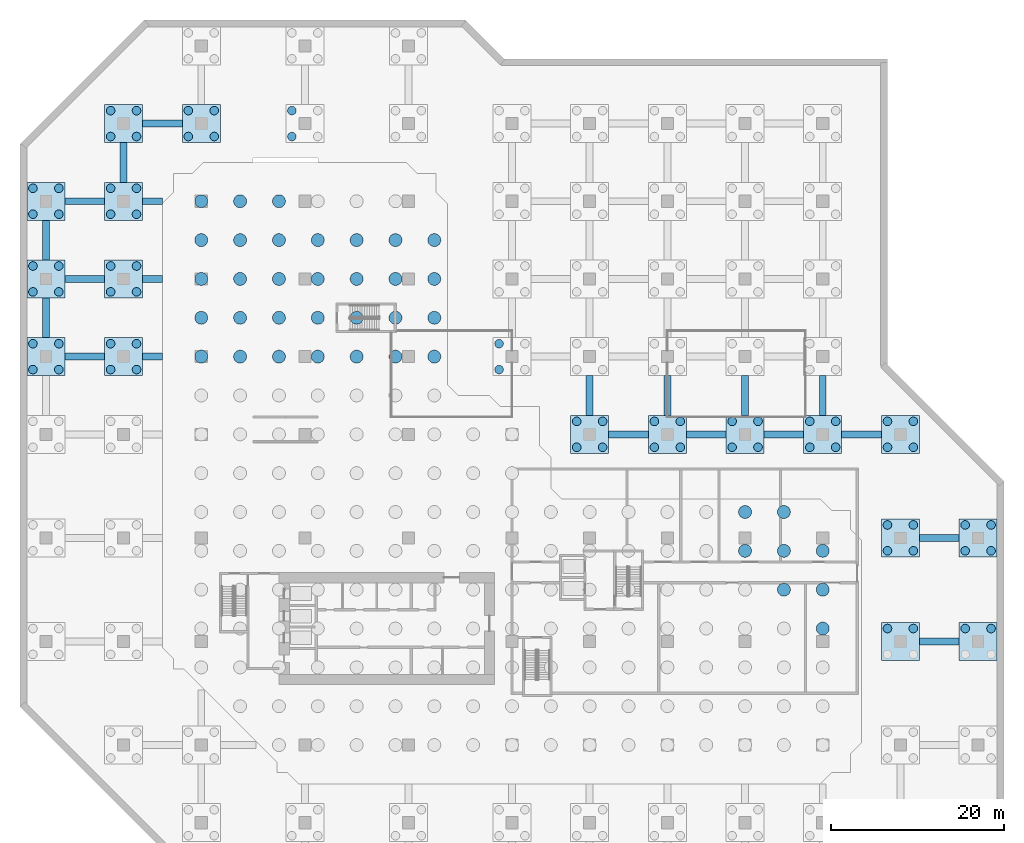
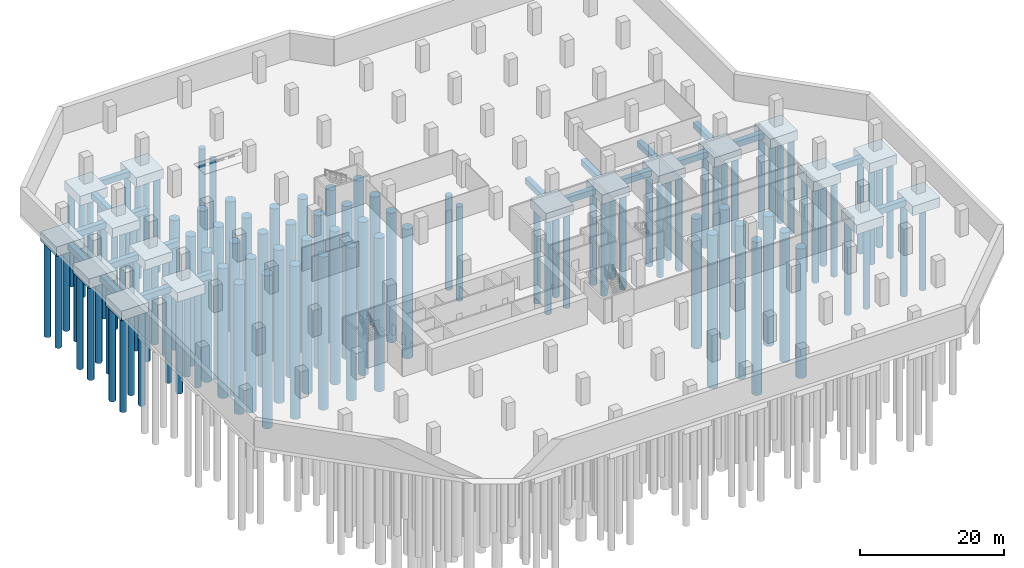
# One storey, part 3 of 13: 107 piles, 37 footings.
"""IFC4 building model written with IfcOpenShell, lengths in metres."""

from ifc_helpers import new_model, si_unit, direction, frame, origin, origin_2d, place, context, subcontext, project, spatial, polyline, circle, outline, extrude, material, layer, layer_set, material_profile, profile_set, type_object, element, save


model = new_model("IFC4")

# Units and contexts
model_context = context("Model", 3, precision=1e-05, world=origin(), true_north=direction((0.0, 1.0)))
body_context = subcontext(model_context, "Body", "Model", "MODEL_VIEW")
ifc_project = project(units=[si_unit("LENGTHUNIT", "METRE"), si_unit("AREAUNIT", "SQUARE_METRE"), si_unit("VOLUMEUNIT", "CUBIC_METRE"), si_unit("PLANEANGLEUNIT", "RADIAN"), si_unit("MASSUNIT", "GRAM", prefix="KILO")], contexts=[model_context])

# Site, building, storey
site_placement = place(None, origin())
site = spatial("IfcSite", under=ifc_project, at=site_placement, CompositionType="ELEMENT")
building_placement = place(site_placement, origin())
building = spatial("IfcBuilding", under=site, at=building_placement, Name="Chenar Terraces", CompositionType="ELEMENT")
storey_placement = place(building_placement, frame((0.0, 0.0, -13.5)))
storey = spatial("IfcBuildingStorey", under=building, at=storey_placement, Name="B3", CompositionType="ELEMENT", Elevation=-13.5)

# Piles
ifc_material_1 = material(Name="Concrete C40/50 sulfate-resisting", Category="concrete")
ifc_material_profile_1 = material_profile(ifc_material_1, circle(Radius=0.5, at=origin_2d()), Name="BP 1000")
ifc_profile_set_1 = profile_set([ifc_material_profile_1], Name="Concrete C40/50 sulfate-resisting")
pile_type_1 = type_object("IfcPileType", Name="Bored pile 1000", PredefinedType="BORED", material=ifc_profile_set_1)
for number, where, z_axis, x_axis, name in (
    (1, (-19.5, 43.5, -2.10009765625), (0.0, 0.0, -1.0), (1.0, 0.0, 0.0), "Pile 3/J 1"),
    (2, (-16.5, 43.5, -2.10009765625), (0.0, 0.0, -1.0), (1.0, 0.0, 0.0), "Pile 3/J 2"),
    (3, (-19.5, 46.5, -2.10009765625), (0.0, 0.0, -1.0), (1.0, 0.0, 0.0), "Pile 3/J 3"),
    (4, (-16.5, 46.5, -2.10009765625), (0.0, 0.0, -1.0), (1.0, 0.0, 0.0), "Pile 3/J 4"),
    (5, (-19.5, 52.5, -2.10009765625), (0.0, 0.0, -1.0), (1.0, 0.0, 0.0), "Pile 3/K 1"),
    (6, (-16.5, 52.5, -2.10009765625), (0.0, 0.0, -1.0), (1.0, 0.0, 0.0), "Pile 3/K 2"),
    (7, (-19.5, 55.5, -2.10009765625), (0.0, 0.0, -1.0), (1.0, 0.0, 0.0), "Pile 3/K 3"),
    (8, (-16.5, 55.5, -2.10009765625), (0.0, 0.0, -1.0), (1.0, 0.0, 0.0), "Pile 3/K 4"),
    (9, (-19.5, 61.5, -2.10009765625), (0.0, 0.0, -1.0), (1.0, 0.0, 0.0), "Pile 3/L 1"),
    (10, (-16.5, 61.5, -2.10009765625), (0.0, 0.0, -1.0), (1.0, 0.0, 0.0), "Pile 3/L 2"),
    (11, (-19.5, 64.5, -2.10009765625), (0.0, 0.0, -1.0), (1.0, 0.0, 0.0), "Pile 3/L 3"),
    (12, (-16.5, 64.5, -2.10009765625), (0.0, 0.0, -1.0), (1.0, 0.0, 0.0), "Pile 3/L 4"),
    (13, (-10.5, 43.5, -2.10009765625), (0.0, 0.0, -1.0), (1.0, 0.0, 0.0), "Pile 4/J 1"),
    (14, (-7.5, 43.5, -2.10009765625), (0.0, 0.0, -1.0), (1.0, 0.0, 0.0), "Pile 4/J 2"),
    (15, (-10.5, 46.5, -2.10009765625), (0.0, 0.0, -1.0), (1.0, 0.0, 0.0), "Pile 4/J 3"),
    (16, (-7.5, 46.5, -2.10009765625), (0.0, 0.0, -1.0), (1.0, 0.0, 0.0), "Pile 4/J 4"),
    (17, (-10.5, 52.5, -2.10009765625), (0.0, 0.0, -1.0), (1.0, 0.0, 0.0), "Pile 4/K 1"),
    (18, (-7.5, 52.5, -2.10009765625), (0.0, 0.0, -1.0), (1.0, 0.0, 0.0), "Pile 4/K 2"),
    (19, (-10.5, 55.5, -2.10009765625), (0.0, 0.0, -1.0), (1.0, 0.0, 0.0), "Pile 4/K 3"),
    (20, (-7.5, 55.5, -2.10009765625), (0.0, 0.0, -1.0), (1.0, 0.0, 0.0), "Pile 4/K 4"),
    (21, (-10.5, 61.5, -2.10009765625), (0.0, 0.0, -1.0), (1.0, 0.0, 0.0), "Pile 4/L 1"),
    (22, (-7.5, 61.5, -2.10009765625), (0.0, 0.0, -1.0), (1.0, 0.0, 0.0), "Pile 4/L 2"),
    (23, (-10.5, 64.5, -2.10009765625), (0.0, 0.0, -1.0), (1.0, 0.0, 0.0), "Pile 4/L 3"),
    (24, (-7.5, 64.5, -2.10009765625), (0.0, 0.0, -1.0), (1.0, 0.0, 0.0), "Pile 4/L 4"),
    (25, (-10.5, 70.5, -2.10009765625), (0.0, 0.0, -1.0), (1.0, 0.0, 0.0), "Pile 4/M 1"),
    (26, (-7.5, 70.5, -2.10009765625), (0.0, 0.0, -1.0), (1.0, 0.0, 0.0), "Pile 4/M 2"),
    (27, (-10.5, 73.5, -2.10009765625), (0.0, 0.0, -1.0), (1.0, 0.0, 0.0), "Pile 4/M 3"),
    (28, (-7.5, 73.5, -2.10009765625), (0.0, 0.0, -1.0), (1.0, 0.0, 0.0), "Pile 4/M 4"),
    (29, (-1.5, 70.5, -2.10009765625), (0.0, 0.0, -1.0), (1.0, 0.0, 0.0), "Pile 5/M 1"),
    (30, (1.5, 70.5, -2.10009765625), (0.0, 0.0, -1.0), (1.0, 0.0, 0.0), "Pile 5/M 2"),
    (31, (-1.5, 73.5, -2.10009765625), (0.0, 0.0, -1.0), (1.0, 0.0, 0.0), "Pile 5/M 3"),
    (32, (1.5, 73.5, -2.10009765625), (0.0, 0.0, -1.0), (1.0, 0.0, 0.0), "Pile 5/M 4"),
    (33, (10.5, 70.5, -2.10009765625), (0.0, 0.0, -1.0), (1.0, 0.0, 0.0), "Pile 6/M 1"),
    (34, (10.5, 73.5, -2.10009765625), (0.0, 0.0, -1.0), (1.0, 0.0, 0.0), "Pile 6/M 3"),
    (35, (34.5, 43.5, -2.10009765625), (0.0, 0.0, -1.0), (1.0, 0.0, 0.0), "Pile 8/J 1"),
    (36, (34.5, 46.5, -2.10009765625), (0.0, 0.0, -1.0), (1.0, 0.0, 0.0), "Pile 8/J 3"),
    (37, (43.5, 34.5, -2.10009765625), (0.0, 0.0, -1.0), (1.0, 0.0, 0.0), "Pile 9/H 1"),
    (38, (46.5, 34.5, -2.10009765625), (0.0, 0.0, -1.0), (1.0, 0.0, 0.0), "Pile 9/H 2"),
    (39, (43.5, 37.5, -2.10009765625), (0.0, 0.0, -1.0), (1.0, 0.0, 0.0), "Pile 9/H 3"),
    (40, (46.5, 37.5, -2.10009765625), (0.0, 0.0, -1.0), (1.0, 0.0, 0.0), "Pile 9/H 4"),
    (41, (52.5, 34.5, -2.10009765625), (0.0, 0.0, -1.0), (1.0, 0.0, 0.0), "Pile 10/H 1"),
    (42, (55.5, 34.5, -2.10009765625), (0.0, 0.0, -1.0), (1.0, 0.0, 0.0), "Pile 10/H 2"),
    (43, (52.5, 37.5, -2.10009765625), (0.0, 0.0, -1.0), (1.0, 0.0, 0.0), "Pile 10/H 3"),
    (44, (55.5, 37.5, -2.10009765625), (0.0, 0.0, -1.0), (1.0, 0.0, 0.0), "Pile 10/H 4"),
    (45, (61.5, 34.5, -2.10009765625), (0.0, 0.0, -1.0), (1.0, 0.0, 0.0), "Pile 11/H 1"),
    (46, (64.5, 34.5, -2.10009765625), (0.0, 0.0, -1.0), (1.0, 0.0, 0.0), "Pile 11/H 2"),
    (47, (61.5, 37.5, -2.10009765625), (0.0, 0.0, -1.0), (1.0, 0.0, 0.0), "Pile 11/H 3"),
    (48, (64.5, 37.5, -2.10009765625), (0.0, 0.0, -1.0), (1.0, 0.0, 0.0), "Pile 11/H 4"),
    (49, (70.5, 34.5, -2.10009765625), (0.0, 0.0, -1.0), (1.0, 0.0, 0.0), "Pile 12/H 1"),
    (50, (73.5, 34.5, -2.10009765625), (0.0, 0.0, -1.0), (1.0, 0.0, 0.0), "Pile 12/H 2"),
    (51, (70.5, 37.5, -2.10009765625), (0.0, 0.0, -1.0), (1.0, 0.0, 0.0), "Pile 12/H 3"),
    (52, (73.5, 37.5, -2.10009765625), (0.0, 0.0, -1.0), (1.0, 0.0, 0.0), "Pile 12/H 4"),
    (53, (79.5, 13.5, -2.10009765625), (0.0, 0.0, -1.0), (1.0, 0.0, 0.0), "Pile 13/F 3"),
    (54, (82.5, 13.5, -2.10009765625), (0.0, 0.0, -1.0), (1.0, 0.0, 0.0), "Pile 13/F 4"),
    (55, (79.5, 22.5, -2.10009765625), (0.0, 0.0, -1.0), (1.0, 0.0, 0.0), "Pile 13/G 1"),
    (56, (82.5, 22.5, -2.10009765625), (0.0, 0.0, -1.0), (1.0, 0.0, 0.0), "Pile 13/G 2"),
    (57, (79.5, 25.5, -2.10009765625), (0.0, 0.0, -1.0), (1.0, 0.0, 0.0), "Pile 13/G 3"),
    (58, (82.5, 25.5, -2.10009765625), (0.0, 0.0, -1.0), (1.0, 0.0, 0.0), "Pile 13/G 4"),
    (59, (79.5, 34.5, -2.10009765625), (0.0, 0.0, -1.0), (1.0, 0.0, 0.0), "Pile 13/H 1"),
    (60, (82.5, 34.5, -2.10009765625), (0.0, 0.0, -1.0), (1.0, 0.0, 0.0), "Pile 13/H 2"),
    (61, (79.5, 37.5, -2.10009765625), (0.0, 0.0, -1.0), (1.0, 0.0, 0.0), "Pile 13/H 3"),
    (62, (82.5, 37.5, -2.10009765625), (0.0, 0.0, -1.0), (1.0, 0.0, 0.0), "Pile 13/H 4"),
    (63, (88.5, 13.5, -2.10009765625), (0.0, 0.0, -1.0), (1.0, 0.0, 0.0), "Pile 14/F 3"),
    (64, (91.5, 13.5, -2.10009765625), (0.0, 0.0, -1.0), (1.0, 0.0, 0.0), "Pile 14/F 4"),
    (65, (88.5, 22.5, -2.10009765625), (0.0, 0.0, -1.0), (1.0, 0.0, 0.0), "Pile 14/G 1"),
    (66, (91.5, 22.5, -2.10009765625), (0.0, 0.0, -1.0), (1.0, 0.0, 0.0), "Pile 14/G 2"),
    (67, (88.5, 25.5, -2.10009765625), (0.0, 0.0, -1.0), (1.0, 0.0, 0.0), "Pile 14/G 3"),
    (68, (91.5, 25.5, -2.10009765625), (0.0, 0.0, -1.0), (1.0, 0.0, 0.0), "Pile 14/G 4"),
):
    element("IfcPile", number, at=place(storey_placement, frame(where, z_axis=z_axis, x_axis=x_axis)), inside=storey, type_object=pile_type_1, Name=name, PredefinedType="BORED", context=body_context, shape_type="SweptSolid", body=[
        extrude(circle(Radius=0.5, at=origin_2d()), origin(), (0.0, 0.0, 1.0), 16.0),
    ])
ifc_material_2 = material(Name="Concrete C40/50 sulfate-resisting", Category="concrete")
ifc_material_profile_2 = material_profile(ifc_material_2, circle(Radius=0.75, at=origin_2d()), Name="BP 1500")
ifc_profile_set_2 = profile_set([ifc_material_profile_2], Name="Concrete C40/50 sulfate-resisting")
pile_type_2 = type_object("IfcPileType", Name="Bored pile 1500", PredefinedType="BORED", material=ifc_profile_set_2)
pile_1_placement = place(storey_placement, frame((72.0, 13.5, -4.0), z_axis=(0.0, 0.0, -1.0), x_axis=(1.0, 0.0, 0.0)))
element("IfcPile", 69, at=pile_1_placement, inside=storey, type_object=pile_type_2, Name="Raft pile 65", PredefinedType="BORED", context=body_context, shape_type="SweptSolid", body=[
    extrude(circle(Radius=0.75, at=origin_2d()), origin(), (0.0, 0.0, 1.0), 22.0),
])
pile_2_placement = place(storey_placement, frame((67.5, 18.0, -4.0), z_axis=(0.0, 0.0, -1.0), x_axis=(1.0, 0.0, 0.0)))
element("IfcPile", 70, at=pile_2_placement, inside=storey, type_object=pile_type_2, Name="Raft pile 81", PredefinedType="BORED", context=body_context, shape_type="SweptSolid", body=[
    extrude(circle(Radius=0.75, at=origin_2d()), origin(), (0.0, 0.0, 1.0), 26.0),
])
pile_3_placement = place(storey_placement, frame((72.0, 18.0, -4.0), z_axis=(0.0, 0.0, -1.0), x_axis=(1.0, 0.0, 0.0)))
element("IfcPile", 71, at=pile_3_placement, inside=storey, type_object=pile_type_2, Name="Raft pile 82", PredefinedType="BORED", context=body_context, shape_type="SweptSolid", body=[
    extrude(circle(Radius=0.75, at=origin_2d()), origin(), (0.0, 0.0, 1.0), 22.0),
])
for number, where, z_axis, x_axis, name in (
    (72, (63.0, 22.5, -4.0), (0.0, 0.0, -1.0), (1.0, 0.0, 0.0), "Raft pile 97"),
    (73, (67.5, 22.5, -4.0), (0.0, 0.0, -1.0), (1.0, 0.0, 0.0), "Raft pile 98"),
):
    element("IfcPile", number, at=place(storey_placement, frame(where, z_axis=z_axis, x_axis=x_axis)), inside=storey, type_object=pile_type_2, Name=name, PredefinedType="BORED", context=body_context, shape_type="SweptSolid", body=[
        extrude(circle(Radius=0.75, at=origin_2d()), origin(), (0.0, 0.0, 1.0), 26.0),
    ])
for number, where, z_axis, x_axis, name in (
    (74, (72.0, 22.5, -4.0), (0.0, 0.0, -1.0), (1.0, 0.0, 0.0), "Raft pile 99"),
    (75, (63.0, 27.0, -4.0), (0.0, 0.0, -1.0), (1.0, 0.0, 0.0), "Raft pile 114"),
    (76, (67.5, 27.0, -4.0), (0.0, 0.0, -1.0), (1.0, 0.0, 0.0), "Raft pile 115"),
    (77, (0.0, 45.0, -4.0), (0.0, 0.0, -1.0), (1.0, 0.0, 0.0), "Raft pile 141"),
):
    element("IfcPile", number, at=place(storey_placement, frame(where, z_axis=z_axis, x_axis=x_axis)), inside=storey, type_object=pile_type_2, Name=name, PredefinedType="BORED", context=body_context, shape_type="SweptSolid", body=[
        extrude(circle(Radius=0.75, at=origin_2d()), origin(), (0.0, 0.0, 1.0), 22.0),
    ])
for number, where, z_axis, x_axis, name in (
    (78, (4.5, 45.0, -4.0), (0.0, 0.0, -1.0), (1.0, 0.0, 0.0), "Raft pile 142"),
    (79, (9.0, 45.0, -4.0), (0.0, 0.0, -1.0), (1.0, 0.0, 0.0), "Raft pile 143"),
    (80, (13.5, 45.0, -4.0), (0.0, 0.0, -1.0), (1.0, 0.0, 0.0), "Raft pile 144"),
    (81, (18.0, 45.0, -4.0), (0.0, 0.0, -1.0), (1.0, 0.0, 0.0), "Raft pile 145"),
    (82, (22.5, 45.0, -4.0), (0.0, 0.0, -1.0), (1.0, 0.0, 0.0), "Raft pile 146"),
):
    element("IfcPile", number, at=place(storey_placement, frame(where, z_axis=z_axis, x_axis=x_axis)), inside=storey, type_object=pile_type_2, Name=name, PredefinedType="BORED", context=body_context, shape_type="SweptSolid", body=[
        extrude(circle(Radius=0.75, at=origin_2d()), origin(), (0.0, 0.0, 1.0), 26.0),
    ])
for number, where, z_axis, x_axis, name in (
    (83, (27.0, 45.0, -4.0), (0.0, 0.0, -1.0), (1.0, 0.0, 0.0), "Raft pile 147"),
    (84, (0.0, 49.5, -4.0), (0.0, 0.0, -1.0), (1.0, 0.0, 0.0), "Raft pile 148"),
):
    element("IfcPile", number, at=place(storey_placement, frame(where, z_axis=z_axis, x_axis=x_axis)), inside=storey, type_object=pile_type_2, Name=name, PredefinedType="BORED", context=body_context, shape_type="SweptSolid", body=[
        extrude(circle(Radius=0.75, at=origin_2d()), origin(), (0.0, 0.0, 1.0), 22.0),
    ])
for number, where, z_axis, x_axis, name in (
    (85, (4.5, 49.5, -4.0), (0.0, 0.0, -1.0), (1.0, 0.0, 0.0), "Raft pile 149"),
    (86, (9.0, 49.5, -4.0), (0.0, 0.0, -1.0), (1.0, 0.0, 0.0), "Raft pile 150"),
    (87, (13.5, 49.5, -4.0), (0.0, 0.0, -1.0), (1.0, 0.0, 0.0), "Raft pile 151"),
    (88, (18.0, 49.5, -4.0), (0.0, 0.0, -1.0), (1.0, 0.0, 0.0), "Raft pile 152"),
    (89, (22.5, 49.5, -4.0), (0.0, 0.0, -1.0), (1.0, 0.0, 0.0), "Raft pile 153"),
):
    element("IfcPile", number, at=place(storey_placement, frame(where, z_axis=z_axis, x_axis=x_axis)), inside=storey, type_object=pile_type_2, Name=name, PredefinedType="BORED", context=body_context, shape_type="SweptSolid", body=[
        extrude(circle(Radius=0.75, at=origin_2d()), origin(), (0.0, 0.0, 1.0), 26.0),
    ])
for number, where, z_axis, x_axis, name in (
    (90, (27.0, 49.5, -4.0), (0.0, 0.0, -1.0), (1.0, 0.0, 0.0), "Raft pile 154"),
    (91, (0.0, 54.0, -4.0), (0.0, 0.0, -1.0), (1.0, 0.0, 0.0), "Raft pile 155"),
):
    element("IfcPile", number, at=place(storey_placement, frame(where, z_axis=z_axis, x_axis=x_axis)), inside=storey, type_object=pile_type_2, Name=name, PredefinedType="BORED", context=body_context, shape_type="SweptSolid", body=[
        extrude(circle(Radius=0.75, at=origin_2d()), origin(), (0.0, 0.0, 1.0), 22.0),
    ])
for number, where, z_axis, x_axis, name in (
    (92, (4.5, 54.0, -4.0), (0.0, 0.0, -1.0), (1.0, 0.0, 0.0), "Raft pile 156"),
    (93, (9.0, 54.0, -4.0), (0.0, 0.0, -1.0), (1.0, 0.0, 0.0), "Raft pile 157"),
    (94, (13.5, 54.0, -4.0), (0.0, 0.0, -1.0), (1.0, 0.0, 0.0), "Raft pile 158"),
    (95, (18.0, 54.0, -4.0), (0.0, 0.0, -1.0), (1.0, 0.0, 0.0), "Raft pile 159"),
    (96, (22.5, 54.0, -4.0), (0.0, 0.0, -1.0), (1.0, 0.0, 0.0), "Raft pile 160"),
):
    element("IfcPile", number, at=place(storey_placement, frame(where, z_axis=z_axis, x_axis=x_axis)), inside=storey, type_object=pile_type_2, Name=name, PredefinedType="BORED", context=body_context, shape_type="SweptSolid", body=[
        extrude(circle(Radius=0.75, at=origin_2d()), origin(), (0.0, 0.0, 1.0), 26.0),
    ])
for number, where, z_axis, x_axis, name in (
    (97, (27.0, 54.0, -4.0), (0.0, 0.0, -1.0), (1.0, 0.0, 0.0), "Raft pile 161"),
    (98, (0.0, 58.5, -4.0), (0.0, 0.0, -1.0), (1.0, 0.0, 0.0), "Raft pile 162"),
):
    element("IfcPile", number, at=place(storey_placement, frame(where, z_axis=z_axis, x_axis=x_axis)), inside=storey, type_object=pile_type_2, Name=name, PredefinedType="BORED", context=body_context, shape_type="SweptSolid", body=[
        extrude(circle(Radius=0.75, at=origin_2d()), origin(), (0.0, 0.0, 1.0), 22.0),
    ])
for number, where, z_axis, x_axis, name in (
    (99, (4.5, 58.5, -4.0), (0.0, 0.0, -1.0), (1.0, 0.0, 0.0), "Raft pile 163"),
    (100, (9.0, 58.5, -4.0), (0.0, 0.0, -1.0), (1.0, 0.0, 0.0), "Raft pile 164"),
    (101, (13.5, 58.5, -4.0), (0.0, 0.0, -1.0), (1.0, 0.0, 0.0), "Raft pile 165"),
    (102, (18.0, 58.5, -4.0), (0.0, 0.0, -1.0), (1.0, 0.0, 0.0), "Raft pile 166"),
    (103, (22.5, 58.5, -4.0), (0.0, 0.0, -1.0), (1.0, 0.0, 0.0), "Raft pile 167"),
):
    element("IfcPile", number, at=place(storey_placement, frame(where, z_axis=z_axis, x_axis=x_axis)), inside=storey, type_object=pile_type_2, Name=name, PredefinedType="BORED", context=body_context, shape_type="SweptSolid", body=[
        extrude(circle(Radius=0.75, at=origin_2d()), origin(), (0.0, 0.0, 1.0), 26.0),
    ])
for number, where, z_axis, x_axis, name in (
    (104, (27.0, 58.5, -4.0), (0.0, 0.0, -1.0), (1.0, 0.0, 0.0), "Raft pile 168"),
    (105, (0.0, 63.0, -4.0), (0.0, 0.0, -1.0), (1.0, 0.0, 0.0), "Raft pile 169"),
    (106, (4.5, 63.0, -4.0), (0.0, 0.0, -1.0), (1.0, 0.0, 0.0), "Raft pile 170"),
    (107, (9.0, 63.0, -4.0), (0.0, 0.0, -1.0), (1.0, 0.0, 0.0), "Raft pile 171"),
):
    element("IfcPile", number, at=place(storey_placement, frame(where, z_axis=z_axis, x_axis=x_axis)), inside=storey, type_object=pile_type_2, Name=name, PredefinedType="BORED", context=body_context, shape_type="SweptSolid", body=[
        extrude(circle(Radius=0.75, at=origin_2d()), origin(), (0.0, 0.0, 1.0), 22.0),
    ])

# Footings
ifc_material_3 = material(Name="Concrete C40/50 sulfate-resisting", Category="concrete")
ifc_layer_1 = layer(ifc_material_3, 1.0)
ifc_layer_set_1 = layer_set([ifc_layer_1], Name="Concrete C40/50 sulfate-resisting")
footing_type_1 = type_object("IfcFootingType", Name="Footing tie beam 800 x 1000", PredefinedType="FOOTING_BEAM", material=ifc_layer_set_1)
placement_1 = place(storey_placement, frame((0.0, 0.0, -1.60009765625)))
element("IfcFooting", 108, at=placement_1, inside=storey, type_object=footing_type_1, Name="Footing tie beam 3J-10", PredefinedType="FOOTING_BEAM", context=body_context, shape_type="SweptSolid", body=[
    extrude(outline(polyline([(-11.199951171875, 44.60009765625), (-11.199951171875, 45.39990234375), (-15.800048828125, 45.39990234375), (-15.800048828125, 44.60009765625), (-11.199951171875, 44.60009765625)])), origin(), (0.0, 0.0, 1.0), 1.0),
])
element("IfcFooting", 109, at=placement_1, inside=storey, type_object=footing_type_1, Name="Footing tie beam 3J-01", PredefinedType="FOOTING_BEAM", context=body_context, shape_type="SweptSolid", body=[
    extrude(outline(polyline([(-17.60009765625, 47.199951171875), (-17.60009765625, 51.800048828125), (-18.39990234375, 51.800048828125), (-18.39990234375, 47.199951171875), (-17.60009765625, 47.199951171875)])), origin(), (0.0, 0.0, 1.0), 1.0),
])
element("IfcFooting", 110, at=placement_1, inside=storey, type_object=footing_type_1, Name="Footing tie beam 3K-10", PredefinedType="FOOTING_BEAM", context=body_context, shape_type="SweptSolid", body=[
    extrude(outline(polyline([(-11.199951171875, 53.60009765625), (-11.199951171875, 54.39990234375), (-15.800048828125, 54.39990234375), (-15.800048828125, 53.60009765625), (-11.199951171875, 53.60009765625)])), origin(), (0.0, 0.0, 1.0), 1.0),
])
element("IfcFooting", 111, at=placement_1, inside=storey, type_object=footing_type_1, Name="Footing tie beam 3K-01", PredefinedType="FOOTING_BEAM", context=body_context, shape_type="SweptSolid", body=[
    extrude(outline(polyline([(-17.60009765625, 56.199951171875), (-17.60009765625, 60.800048828125), (-18.39990234375, 60.800048828125), (-18.39990234375, 56.199951171875), (-17.60009765625, 56.199951171875)])), origin(), (0.0, 0.0, 1.0), 1.0),
])
element("IfcFooting", 112, at=placement_1, inside=storey, type_object=footing_type_1, Name="Footing tie beam 3L-10", PredefinedType="FOOTING_BEAM", context=body_context, shape_type="SweptSolid", body=[
    extrude(outline(polyline([(-11.199951171875, 62.60009765625), (-11.199951171875, 63.39990234375), (-15.800048828125, 63.39990234375), (-15.800048828125, 62.60009765625), (-11.199951171875, 62.60009765625)])), origin(), (0.0, 0.0, 1.0), 1.0),
])
element("IfcFooting", 113, at=placement_1, inside=storey, type_object=footing_type_1, Name="Footing tie beam 4J-10", PredefinedType="FOOTING_BEAM", context=body_context, shape_type="SweptSolid", body=[
    extrude(outline(polyline([(-4.5, 44.60009765625), (-4.5, 45.39990234375), (-6.800048828125, 45.39990234375), (-6.800048828125, 44.60009765625), (-4.5, 44.60009765625)])), origin(), (0.0, 0.0, 1.0), 1.0),
])
element("IfcFooting", 114, at=placement_1, inside=storey, type_object=footing_type_1, Name="Footing tie beam 4K-10", PredefinedType="FOOTING_BEAM", context=body_context, shape_type="SweptSolid", body=[
    extrude(outline(polyline([(-4.5, 53.60009765625), (-4.5, 54.39990234375), (-6.800048828125, 54.39990234375), (-6.800048828125, 53.60009765625), (-4.5, 53.60009765625)])), origin(), (0.0, 0.0, 1.0), 1.0),
])
element("IfcFooting", 115, at=placement_1, inside=storey, type_object=footing_type_1, Name="Footing tie beam 4L-10", PredefinedType="FOOTING_BEAM", context=body_context, shape_type="SweptSolid", body=[
    extrude(outline(polyline([(-4.5, 62.60009765625), (-4.5, 63.39990234375), (-6.800048828125, 63.39990234375), (-6.800048828125, 62.60009765625), (-4.5, 62.60009765625)])), origin(), (0.0, 0.0, 1.0), 1.0),
])
element("IfcFooting", 116, at=placement_1, inside=storey, type_object=footing_type_1, Name="Footing tie beam 4L-01", PredefinedType="FOOTING_BEAM", context=body_context, shape_type="SweptSolid", body=[
    extrude(outline(polyline([(-8.60009765625, 65.199951171875), (-8.60009765625, 69.800048828125), (-9.39990234375, 69.800048828125), (-9.39990234375, 65.199951171875), (-8.60009765625, 65.199951171875)])), origin(), (0.0, 0.0, 1.0), 1.0),
])
element("IfcFooting", 117, at=placement_1, inside=storey, type_object=footing_type_1, Name="Footing tie beam 4M-10", PredefinedType="FOOTING_BEAM", context=body_context, shape_type="SweptSolid", body=[
    extrude(outline(polyline([(-2.199951171875, 71.60009765625), (-2.199951171875, 72.39990234375), (-6.800048828125, 72.39990234375), (-6.800048828125, 71.60009765625), (-2.199951171875, 71.60009765625)])), origin(), (0.0, 0.0, 1.0), 1.0),
])
element("IfcFooting", 118, at=placement_1, inside=storey, type_object=footing_type_1, Name="Footing tie beam 9H-10", PredefinedType="FOOTING_BEAM", context=body_context, shape_type="SweptSolid", body=[
    extrude(outline(polyline([(51.800048828125, 35.60009765625), (51.800048828125, 36.39990234375), (47.199951171875, 36.39990234375), (47.199951171875, 35.60009765625), (51.800048828125, 35.60009765625)])), origin(), (0.0, 0.0, 1.0), 1.0),
])
element("IfcFooting", 119, at=placement_1, inside=storey, type_object=footing_type_1, Name="Footing tie beam 9H-01", PredefinedType="FOOTING_BEAM", context=body_context, shape_type="SweptSolid", body=[
    extrude(outline(polyline([(45.39990234375, 38.199951171875), (45.39990234375, 42.800048828125), (44.60009765625, 42.800048828125), (44.60009765625, 38.199951171875), (45.39990234375, 38.199951171875)])), origin(), (0.0, 0.0, 1.0), 1.0),
])
element("IfcFooting", 120, at=placement_1, inside=storey, type_object=footing_type_1, Name="Footing tie beam 10H-10", PredefinedType="FOOTING_BEAM", context=body_context, shape_type="SweptSolid", body=[
    extrude(outline(polyline([(60.800048828125, 35.60009765625), (60.800048828125, 36.39990234375), (56.199951171875, 36.39990234375), (56.199951171875, 35.60009765625), (60.800048828125, 35.60009765625)])), origin(), (0.0, 0.0, 1.0), 1.0),
])
element("IfcFooting", 121, at=placement_1, inside=storey, type_object=footing_type_1, Name="Footing tie beam 10H-01", PredefinedType="FOOTING_BEAM", context=body_context, shape_type="SweptSolid", body=[
    extrude(outline(polyline([(54.39990234375, 38.199951171875), (54.39990234375, 42.800048828125), (53.60009765625, 42.800048828125), (53.60009765625, 38.199951171875), (54.39990234375, 38.199951171875)])), origin(), (0.0, 0.0, 1.0), 1.0),
])
element("IfcFooting", 122, at=placement_1, inside=storey, type_object=footing_type_1, Name="Footing tie beam 11H-10", PredefinedType="FOOTING_BEAM", context=body_context, shape_type="SweptSolid", body=[
    extrude(outline(polyline([(69.800048828125, 35.60009765625), (69.800048828125, 36.39990234375), (65.199951171875, 36.39990234375), (65.199951171875, 35.60009765625), (69.800048828125, 35.60009765625)])), origin(), (0.0, 0.0, 1.0), 1.0),
])
element("IfcFooting", 123, at=placement_1, inside=storey, type_object=footing_type_1, Name="Footing tie beam 11H-01", PredefinedType="FOOTING_BEAM", context=body_context, shape_type="SweptSolid", body=[
    extrude(outline(polyline([(63.39990234375, 38.199951171875), (63.39990234375, 42.800048828125), (62.60009765625, 42.800048828125), (62.60009765625, 38.199951171875), (63.39990234375, 38.199951171875)])), origin(), (0.0, 0.0, 1.0), 1.0),
])
element("IfcFooting", 124, at=placement_1, inside=storey, type_object=footing_type_1, Name="Footing tie beam 12H-10", PredefinedType="FOOTING_BEAM", context=body_context, shape_type="SweptSolid", body=[
    extrude(outline(polyline([(78.800048828125, 35.60009765625), (78.800048828125, 36.39990234375), (74.199951171875, 36.39990234375), (74.199951171875, 35.60009765625), (78.800048828125, 35.60009765625)])), origin(), (0.0, 0.0, 1.0), 1.0),
])
element("IfcFooting", 125, at=placement_1, inside=storey, type_object=footing_type_1, Name="Footing tie beam 12H-01", PredefinedType="FOOTING_BEAM", context=body_context, shape_type="SweptSolid", body=[
    extrude(outline(polyline([(72.39990234375, 38.199951171875), (72.39990234375, 42.800048828125), (71.60009765625, 42.800048828125), (71.60009765625, 38.199951171875), (72.39990234375, 38.199951171875)])), origin(), (0.0, 0.0, 1.0), 1.0),
])
element("IfcFooting", 126, at=placement_1, inside=storey, type_object=footing_type_1, Name="Footing tie beam 13F-10", PredefinedType="FOOTING_BEAM", context=body_context, shape_type="SweptSolid", body=[
    extrude(outline(polyline([(87.800048828125, 11.60009765625), (87.800048828125, 12.39990234375), (83.199951171875, 12.39990234375), (83.199951171875, 11.60009765625), (87.800048828125, 11.60009765625)])), origin(), (0.0, 0.0, 1.0), 1.0),
])
element("IfcFooting", 127, at=placement_1, inside=storey, type_object=footing_type_1, Name="Footing tie beam 13G-10", PredefinedType="FOOTING_BEAM", context=body_context, shape_type="SweptSolid", body=[
    extrude(outline(polyline([(87.800048828125, 23.60009765625), (87.800048828125, 24.39990234375), (83.199951171875, 24.39990234375), (83.199951171875, 23.60009765625), (87.800048828125, 23.60009765625)])), origin(), (0.0, 0.0, 1.0), 1.0),
])
ifc_material_4 = material(Name="Concrete C40/50 sulfate-resisting", Category="concrete")
ifc_layer_2 = layer(ifc_material_4, 1.60009765625)
ifc_layer_set_2 = layer_set([ifc_layer_2], Name="Concrete C40/50 sulfate-resisting")
footing_type_2 = type_object("IfcFootingType", Name="Pile cap 4400 x 4400 x 1600", PredefinedType="PILE_CAP", material=ifc_layer_set_2)
placement_2 = place(storey_placement, frame((0.0, 0.0, -2.199951171875)))
element("IfcFooting", 128, at=placement_2, inside=storey, type_object=footing_type_2, Name="Pile cap 3/J", PredefinedType="PILE_CAP", context=body_context, shape_type="SweptSolid", body=[
    extrude(outline(polyline([(-15.800048828125, 42.800048828125), (-15.800048828125, 47.199951171875), (-20.199951171875, 47.199951171875), (-20.199951171875, 42.800048828125), (-15.800048828125, 42.800048828125)])), origin(), (0.0, 0.0, 1.0), 1.599853515625),
])
element("IfcFooting", 129, at=placement_2, inside=storey, type_object=footing_type_2, Name="Pile cap 3/K", PredefinedType="PILE_CAP", context=body_context, shape_type="SweptSolid", body=[
    extrude(outline(polyline([(-15.800048828125, 51.800048828125), (-15.800048828125, 56.199951171875), (-20.199951171875, 56.199951171875), (-20.199951171875, 51.800048828125), (-15.800048828125, 51.800048828125)])), origin(), (0.0, 0.0, 1.0), 1.599853515625),
])
element("IfcFooting", 130, at=placement_2, inside=storey, type_object=footing_type_2, Name="Pile cap 3/L", PredefinedType="PILE_CAP", context=body_context, shape_type="SweptSolid", body=[
    extrude(outline(polyline([(-15.800048828125, 60.800048828125), (-15.800048828125, 65.199951171875), (-20.199951171875, 65.199951171875), (-20.199951171875, 60.800048828125), (-15.800048828125, 60.800048828125)])), origin(), (0.0, 0.0, 1.0), 1.599853515625),
])
element("IfcFooting", 131, at=placement_2, inside=storey, type_object=footing_type_2, Name="Pile cap 4/J", PredefinedType="PILE_CAP", context=body_context, shape_type="SweptSolid", body=[
    extrude(outline(polyline([(-6.800048828125, 42.800048828125), (-6.800048828125, 47.199951171875), (-11.199951171875, 47.199951171875), (-11.199951171875, 42.800048828125), (-6.800048828125, 42.800048828125)])), origin(), (0.0, 0.0, 1.0), 1.599853515625),
])
element("IfcFooting", 132, at=placement_2, inside=storey, type_object=footing_type_2, Name="Pile cap 4/K", PredefinedType="PILE_CAP", context=body_context, shape_type="SweptSolid", body=[
    extrude(outline(polyline([(-6.800048828125, 51.800048828125), (-6.800048828125, 56.199951171875), (-11.199951171875, 56.199951171875), (-11.199951171875, 51.800048828125), (-6.800048828125, 51.800048828125)])), origin(), (0.0, 0.0, 1.0), 1.599853515625),
])
element("IfcFooting", 133, at=placement_2, inside=storey, type_object=footing_type_2, Name="Pile cap 4/L", PredefinedType="PILE_CAP", context=body_context, shape_type="SweptSolid", body=[
    extrude(outline(polyline([(-6.800048828125, 60.800048828125), (-6.800048828125, 65.199951171875), (-11.199951171875, 65.199951171875), (-11.199951171875, 60.800048828125), (-6.800048828125, 60.800048828125)])), origin(), (0.0, 0.0, 1.0), 1.599853515625),
])
element("IfcFooting", 134, at=placement_2, inside=storey, type_object=footing_type_2, Name="Pile cap 4/M", PredefinedType="PILE_CAP", context=body_context, shape_type="SweptSolid", body=[
    extrude(outline(polyline([(-6.800048828125, 69.800048828125), (-6.800048828125, 74.199951171875), (-11.199951171875, 74.199951171875), (-11.199951171875, 69.800048828125), (-6.800048828125, 69.800048828125)])), origin(), (0.0, 0.0, 1.0), 1.599853515625),
])
element("IfcFooting", 135, at=placement_2, inside=storey, type_object=footing_type_2, Name="Pile cap 5/M", PredefinedType="PILE_CAP", context=body_context, shape_type="SweptSolid", body=[
    extrude(outline(polyline([(2.199951171875, 69.800048828125), (2.199951171875, 74.199951171875), (-2.199951171875, 74.199951171875), (-2.199951171875, 69.800048828125), (2.199951171875, 69.800048828125)])), origin(), (0.0, 0.0, 1.0), 1.599853515625),
])
element("IfcFooting", 136, at=placement_2, inside=storey, type_object=footing_type_2, Name="Pile cap 9/H", PredefinedType="PILE_CAP", context=body_context, shape_type="SweptSolid", body=[
    extrude(outline(polyline([(47.199951171875, 33.800048828125), (47.199951171875, 38.199951171875), (42.800048828125, 38.199951171875), (42.800048828125, 33.800048828125), (47.199951171875, 33.800048828125)])), origin(), (0.0, 0.0, 1.0), 1.599853515625),
])
element("IfcFooting", 137, at=placement_2, inside=storey, type_object=footing_type_2, Name="Pile cap 10/H", PredefinedType="PILE_CAP", context=body_context, shape_type="SweptSolid", body=[
    extrude(outline(polyline([(56.199951171875, 33.800048828125), (56.199951171875, 38.199951171875), (51.800048828125, 38.199951171875), (51.800048828125, 33.800048828125), (56.199951171875, 33.800048828125)])), origin(), (0.0, 0.0, 1.0), 1.599853515625),
])
element("IfcFooting", 138, at=placement_2, inside=storey, type_object=footing_type_2, Name="Pile cap 11/H", PredefinedType="PILE_CAP", context=body_context, shape_type="SweptSolid", body=[
    extrude(outline(polyline([(65.199951171875, 33.800048828125), (65.199951171875, 38.199951171875), (60.800048828125, 38.199951171875), (60.800048828125, 33.800048828125), (65.199951171875, 33.800048828125)])), origin(), (0.0, 0.0, 1.0), 1.599853515625),
])
element("IfcFooting", 139, at=placement_2, inside=storey, type_object=footing_type_2, Name="Pile cap 12/H", PredefinedType="PILE_CAP", context=body_context, shape_type="SweptSolid", body=[
    extrude(outline(polyline([(74.199951171875, 33.800048828125), (74.199951171875, 38.199951171875), (69.800048828125, 38.199951171875), (69.800048828125, 33.800048828125), (74.199951171875, 33.800048828125)])), origin(), (0.0, 0.0, 1.0), 1.599853515625),
])
element("IfcFooting", 140, at=placement_2, inside=storey, type_object=footing_type_2, Name="Pile cap 13/F", PredefinedType="PILE_CAP", context=body_context, shape_type="SweptSolid", body=[
    extrude(outline(polyline([(83.199951171875, 9.800048828125), (83.199951171875, 14.199951171875), (78.800048828125, 14.199951171875), (78.800048828125, 9.800048828125), (83.199951171875, 9.800048828125)])), origin(), (0.0, 0.0, 1.0), 1.599853515625),
])
element("IfcFooting", 141, at=placement_2, inside=storey, type_object=footing_type_2, Name="Pile cap 13/G", PredefinedType="PILE_CAP", context=body_context, shape_type="SweptSolid", body=[
    extrude(outline(polyline([(83.199951171875, 21.800048828125), (83.199951171875, 26.199951171875), (78.800048828125, 26.199951171875), (78.800048828125, 21.800048828125), (83.199951171875, 21.800048828125)])), origin(), (0.0, 0.0, 1.0), 1.599853515625),
])
element("IfcFooting", 142, at=placement_2, inside=storey, type_object=footing_type_2, Name="Pile cap 13/H", PredefinedType="PILE_CAP", context=body_context, shape_type="SweptSolid", body=[
    extrude(outline(polyline([(83.199951171875, 33.800048828125), (83.199951171875, 38.199951171875), (78.800048828125, 38.199951171875), (78.800048828125, 33.800048828125), (83.199951171875, 33.800048828125)])), origin(), (0.0, 0.0, 1.0), 1.599853515625),
])
element("IfcFooting", 143, at=placement_2, inside=storey, type_object=footing_type_2, Name="Pile cap 14/F", PredefinedType="PILE_CAP", context=body_context, shape_type="SweptSolid", body=[
    extrude(outline(polyline([(92.199951171875, 9.800048828125), (92.199951171875, 14.199951171875), (87.800048828125, 14.199951171875), (87.800048828125, 9.800048828125), (92.199951171875, 9.800048828125)])), origin(), (0.0, 0.0, 1.0), 1.599853515625),
])
element("IfcFooting", 144, at=placement_2, inside=storey, type_object=footing_type_2, Name="Pile cap 14/G", PredefinedType="PILE_CAP", context=body_context, shape_type="SweptSolid", body=[
    extrude(outline(polyline([(92.199951171875, 21.800048828125), (92.199951171875, 26.199951171875), (87.800048828125, 26.199951171875), (87.800048828125, 21.800048828125), (92.199951171875, 21.800048828125)])), origin(), (0.0, 0.0, 1.0), 1.599853515625),
])

save(model, "model.ifc")
